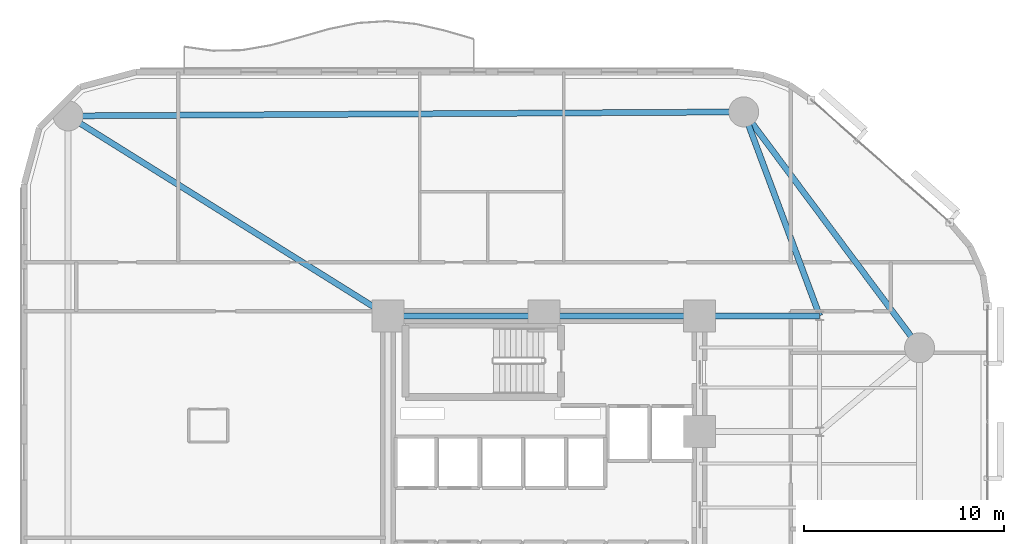
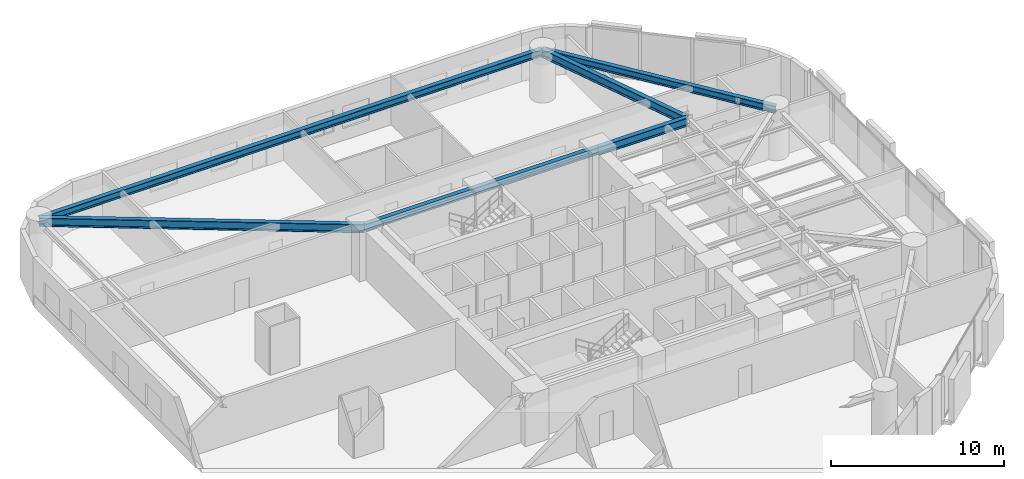
# One storey, part 7 of 16: 6 beams.
"""IFC4 building model written with IfcOpenShell, lengths in metres."""

from ifc_helpers import new_model, si_unit, direction, frame, origin, origin_2d, place, context, subcontext, project, spatial, i_section, extrude, material, material_profile, profile_set, type_object, element, save


model = new_model("IFC4")

# Units and contexts
model_context = context("Model", 3, precision=1e-05, world=origin(), true_north=direction((0.0, 1.0)))
body_context = subcontext(model_context, "Body", "Model", "MODEL_VIEW")
ifc_project = project(units=[si_unit("LENGTHUNIT", "METRE"), si_unit("AREAUNIT", "SQUARE_METRE"), si_unit("VOLUMEUNIT", "CUBIC_METRE"), si_unit("PLANEANGLEUNIT", "RADIAN"), si_unit("MASSUNIT", "GRAM", prefix="KILO")], contexts=[model_context])

# Site, building, storey
site_placement = place(None, origin())
site = spatial("IfcSite", under=ifc_project, at=site_placement, CompositionType="ELEMENT")
building_placement = place(site_placement, origin())
building = spatial("IfcBuilding", under=site, at=building_placement, Name="An Khanh Terracotta Commons", CompositionType="ELEMENT")
storey_placement = place(building_placement, frame((0.0, 0.0, 43.199951171875)))
storey = spatial("IfcBuildingStorey", under=building, at=storey_placement, Name="L11", CompositionType="ELEMENT", Elevation=43.199951171875)

# Beams
ifc_material = material(Name="Steel S355J2", Category="steel")
ifc_material_profile_1 = material_profile(ifc_material, i_section(OverallWidth=0.300048828125, OverallDepth=0.5, WebThickness=0.014404296875, FlangeThickness=0.028076171875, FilletRadius=0.027099609375, at=origin_2d()), Name="HEB500")
ifc_profile_set_1 = profile_set([ifc_material_profile_1], Name="Steel S355J2")
beam_type_1 = type_object("IfcBeamType", Name="BM-HEB500", PredefinedType="BEAM", material=ifc_profile_set_1)
beam_1_placement = place(storey_placement, frame((21.60009765625, 33.60009765625, 3.150146484375), z_axis=(1.0, 0.0, 0.0), x_axis=(0.0, 1.0, 0.0)))
element("IfcBeam", 1, at=beam_1_placement, inside=storey, type_object=beam_type_1, Name="L11 Core North Coupling Girder", PredefinedType="BEAM", context=body_context, shape_type="SweptSolid", body=[
    extrude(i_section(OverallWidth=0.300048828125, OverallDepth=0.5, WebThickness=0.014404296875, FlangeThickness=0.028076171875, FilletRadius=0.027099609375, at=origin_2d()), origin(), (0.0, 0.0, 1.0), 15.599853515625),
])
beam_2_placement = place(storey_placement, frame((48.199951171875, 32.0, 3.150146484375), z_axis=(-0.59782442166, 0.801627070942, 0.0), x_axis=(-0.801627070942, -0.59782442166, 0.0)))
element("IfcBeam", 2, at=beam_2_placement, inside=storey, type_object=beam_type_1, Name="L11 Perimeter Ring Spandrel 4", PredefinedType="BEAM", context=body_context, shape_type="SweptSolid", body=[
    extrude(i_section(OverallWidth=0.300048828125, OverallDepth=0.5, WebThickness=0.014404296875, FlangeThickness=0.028076171875, FilletRadius=0.027099609375, at=origin_2d()), origin(), (0.0, 0.0, 1.0), 14.72021484375),
])
beam_3_placement = place(storey_placement, frame((39.39990234375, 43.800048828125, 3.150146484375), z_axis=(-0.999982502414, -0.005915645817, 0.0), x_axis=(0.005915645817, -0.999982502414, 0.0)))
element("IfcBeam", 3, at=beam_3_placement, inside=storey, type_object=beam_type_1, Name="L11 Perimeter Ring Spandrel 5", PredefinedType="BEAM", context=body_context, shape_type="SweptSolid", body=[
    extrude(i_section(OverallWidth=0.300048828125, OverallDepth=0.5, WebThickness=0.014404296875, FlangeThickness=0.028076171875, FilletRadius=0.027099609375, at=origin_2d()), origin(), (0.0, 0.0, 1.0), 33.80029296875),
])
ifc_material_profile_2 = material_profile(ifc_material, i_section(OverallWidth=0.300048828125, OverallDepth=0.60009765625, WebThickness=0.015380859375, FlangeThickness=0.030029296875, FilletRadius=0.027099609375, at=origin_2d()), Name="HEB600")
ifc_profile_set_2 = profile_set([ifc_material_profile_2], Name="Steel S355J2")
beam_type_2 = type_object("IfcBeamType", Name="BM-HEB600", PredefinedType="BEAM", material=ifc_profile_set_2)
beam_4_placement = place(storey_placement, frame((37.199951171875, 33.60009765625, 3.10009765625), z_axis=(1.0, 0.0, 0.0), x_axis=(0.0, 1.0, 0.0)))
element("IfcBeam", 4, at=beam_4_placement, inside=storey, type_object=beam_type_2, Name="L11 East Primary Floor Girder 4", PredefinedType="BEAM", context=body_context, shape_type="SweptSolid", body=[
    extrude(i_section(OverallWidth=0.300048828125, OverallDepth=0.60009765625, WebThickness=0.015380859375, FlangeThickness=0.030029296875, FilletRadius=0.027099609375, at=origin_2d()), origin(), (0.0, 0.0, 1.0), 6.0),
])
beam_5_placement = place(storey_placement, frame((39.39990234375, 43.800048828125, 3.10009765625), z_axis=(0.349114429862, -0.937080100558, 0.0), x_axis=(0.937080100558, 0.349114429862, 0.0)))
element("IfcBeam", 5, at=beam_5_placement, inside=storey, type_object=beam_type_2, Name="L11 Mega-Column Tie Girder 5", PredefinedType="BEAM", context=body_context, shape_type="SweptSolid", body=[
    extrude(i_section(OverallWidth=0.300048828125, OverallDepth=0.60009765625, WebThickness=0.015380859375, FlangeThickness=0.030029296875, FilletRadius=0.027099609375, at=origin_2d()), origin(), (0.0, 0.0, 1.0), 10.884765625),
])
beam_6_placement = place(storey_placement, frame((5.60009765625, 43.60009765625, 3.10009765625), z_axis=(0.847998304005, -0.529998940003, 0.0), x_axis=(0.529998940003, 0.847998304005, 0.0)))
element("IfcBeam", 6, at=beam_6_placement, inside=storey, type_object=beam_type_2, Name="L11 Mega-Column Tie Girder 6", PredefinedType="BEAM", context=body_context, shape_type="SweptSolid", body=[
    extrude(i_section(OverallWidth=0.300048828125, OverallDepth=0.60009765625, WebThickness=0.015380859375, FlangeThickness=0.030029296875, FilletRadius=0.027099609375, at=origin_2d()), origin(), (0.0, 0.0, 1.0), 18.867919921875),
])

save(model, "model.ifc")
